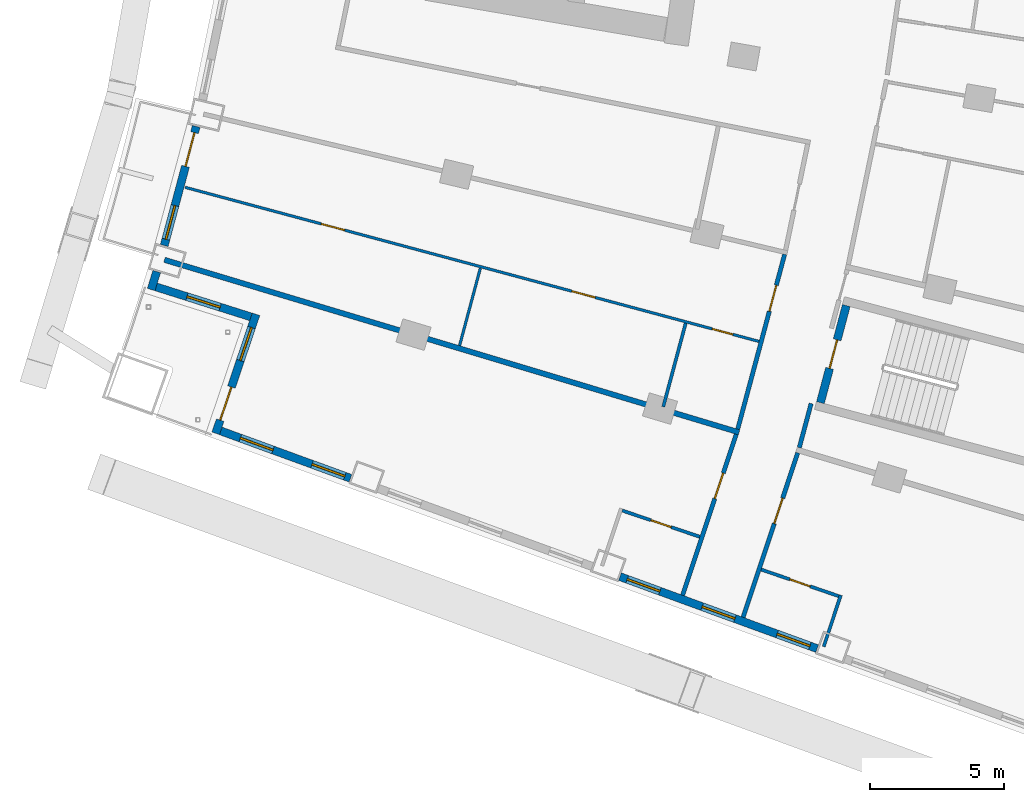
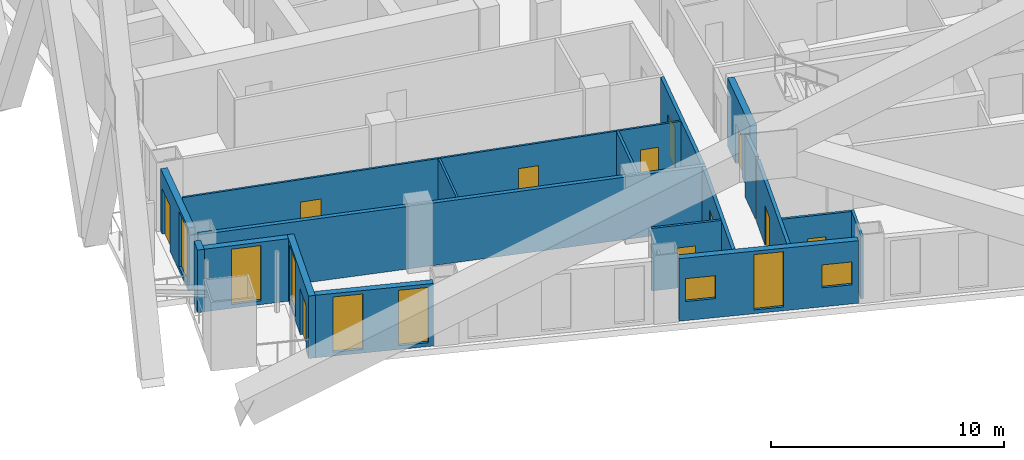
# One storey, part 11 of 23: 18 walls, 11 doors, 8 windows, 19 openings.
"""IFC4 building model written with IfcOpenShell, lengths in metres."""

from ifc_helpers import new_model, si_unit, direction, frame, frame_2d, origin, place, context, subcontext, project, spatial, rectangle, extrude, material, layer, layer_set, type_object, element, fill, save


model = new_model("IFC4")

# Units and contexts
model_context = context("Model", 3, precision=1e-05, world=origin(), true_north=direction((0.0, 1.0)))
body_context = subcontext(model_context, "Body", "Model", "MODEL_VIEW")
ifc_project = project(units=[si_unit("LENGTHUNIT", "METRE"), si_unit("AREAUNIT", "SQUARE_METRE"), si_unit("VOLUMEUNIT", "CUBIC_METRE"), si_unit("PLANEANGLEUNIT", "RADIAN"), si_unit("MASSUNIT", "GRAM", prefix="KILO")], contexts=[model_context])

# Site, building, storey
site_placement = place(None, origin())
site = spatial("IfcSite", under=ifc_project, at=site_placement, CompositionType="ELEMENT")
building_placement = place(site_placement, origin())
building = spatial("IfcBuilding", under=site, at=building_placement, Name="Alderwake Tower", CompositionType="ELEMENT")
storey_placement = place(building_placement, frame((0.0, 0.0, 53.60009765625)))
storey = spatial("IfcBuildingStorey", under=building, at=storey_placement, Name="L12", CompositionType="ELEMENT", Elevation=53.60009765625)

# Wall, opening, door
ifc_material_1 = material(Name="Concrete C70/85", Category="concrete")
ifc_layer_1 = layer(ifc_material_1, 0.300048828125)
ifc_layer_set_1 = layer_set([ifc_layer_1], Name="Core wall stair enclosure 300 C70-85")
wall_type_1 = type_object("IfcWallType", Name="Core wall stair enclosure 300 C70-85", PredefinedType="SHEAR", material=ifc_layer_set_1)
wall_1_placement = place(storey_placement, frame((36.89501953125, 27.923828125, 0.0), z_axis=(0.0, 0.0, 1.0), x_axis=(0.257350630826, 0.966318090907, 0.0)))
wall_1 = element("IfcWall", 1, at=wall_1_placement, inside=storey, type_object=wall_type_1, Name="Core wall CW.087", PredefinedType="SHEAR", context=body_context, shape_type="SweptSolid", body=[
    extrude(rectangle(XDim=3.75, YDim=0.300048828125, at=frame_2d((1.875, 0.0))), origin(), (0.0, 0.0, 1.0), 3.599853515625),
])
opening_1_placement = place(wall_1_placement, frame((1.324951171875, 0.0, 0.0)))
opening_1 = element("IfcOpeningElement", 2, at=opening_1_placement, cuts=wall_1, Name="Opening C065", PredefinedType="OPENING", context=body_context, shape_type="SweptSolid", body=[
    extrude(rectangle(XDim=1.10009765625, YDim=2.10009765625, at=frame_2d((0.550048828125, 1.050048828125))), frame((0.0, 0.159912109375, 0.0), z_axis=(0.0, -1.0, 0.0), x_axis=(1.0, 0.0, 0.0)), (0.0, 0.0, 1.0), 0.320068359375),
])
ifc_material_2 = material(Name="Steel-framed fire door leaf", Category="steel")
door_type_1 = type_object("IfcDoorType", Name="Core stair door 1100 fire-rated", OperationType="SINGLE_SWING_LEFT", PredefinedType="DOOR", material=ifc_material_2)
door_1_placement = place(opening_1_placement, origin())
door_1 = element("IfcDoor", 3, at=door_1_placement, inside=storey, type_object=door_type_1, Name="Stair door", OperationType="SINGLE_SWING_RIGHT", OverallHeight=2.10009765625, OverallWidth=1.10009765625, PredefinedType="DOOR", context=body_context, shape_type="SweptSolid", body=[
    extrude(rectangle(XDim=1.10009765625, YDim=2.10009765625, at=frame_2d((0.550048828125, 1.050048828125))), frame((0.0, 0.02490234375, 0.0), z_axis=(0.0, -1.0, 0.0), x_axis=(1.0, 0.0, 0.0)), (0.0, 0.0, 1.0), 0.050048828125),
])
fill(opening_1, door_1)

ifc_material_3 = material(Name="Gypsum board on metal studs, rated")
ifc_layer_2 = layer(ifc_material_3, 0.159912109375)
ifc_layer_set_2 = layer_set([ifc_layer_2], Name="Corridor wall 160")
wall_type_2 = type_object("IfcWallType", Name="Corridor wall 160", PredefinedType="PARTITIONING", material=ifc_layer_set_2)
wall_2_placement = place(storey_placement, frame((31.7548828125, 20.739013671875, 0.0), z_axis=(0.0, 0.0, 1.0), x_axis=(0.31554473692, 0.948910701279, 0.0)))
wall_2 = element("IfcWall", 4, at=wall_2_placement, inside=storey, type_object=wall_type_2, Name="WL/L12/W18", PredefinedType="PARTITIONING", context=body_context, shape_type="SweptSolid", body=[
    extrude(rectangle(XDim=6.327392578125, YDim=0.159912109375, at=frame_2d((3.16357421875, 0.0))), origin(), (0.0, 0.0, 1.0), 3.27978515625),
])
opening_2_placement = place(wall_2_placement, frame((3.799072265625, 0.0, 0.0)))
opening_2 = element("IfcOpeningElement", 5, at=opening_2_placement, cuts=wall_2, Name="Opening R03-U09.1", PredefinedType="OPENING", context=body_context, shape_type="SweptSolid", body=[
    extrude(rectangle(XDim=1.0, YDim=2.10009765625, at=frame_2d((0.5, 1.050048828125))), frame((0.0, 0.08984375, 0.0), z_axis=(0.0, -1.0, 0.0), x_axis=(1.0, 0.0, 0.0)), (0.0, 0.0, 1.0), 0.179931640625),
])
ifc_material_4 = material(Name="Solid timber leaf in steel frame", Category="steel")
door_type_2 = type_object("IfcDoorType", Name="Flat entrance door 1000 fire-rated", OperationType="SINGLE_SWING_LEFT", PredefinedType="DOOR", material=ifc_material_4)
door_2_placement = place(opening_2_placement, origin())
door_2 = element("IfcDoor", 6, at=door_2_placement, inside=storey, type_object=door_type_2, Name="DR/L12/U09.1", OperationType="SINGLE_SWING_LEFT", OverallHeight=2.10009765625, OverallWidth=1.0, PredefinedType="DOOR", context=body_context, shape_type="SweptSolid", body=[
    extrude(rectangle(XDim=1.0, YDim=2.10009765625, at=frame_2d((0.5, 1.050048828125))), frame((0.0, 0.02490234375, 0.0), z_axis=(0.0, -1.0, 0.0), x_axis=(1.0, 0.0, 0.0)), (0.0, 0.0, 1.0), 0.050048828125),
])
fill(opening_2, door_2)

wall_3_placement = place(storey_placement, frame((33.808837890625, 26.9345703125, 0.0), z_axis=(0.0, 0.0, 1.0), x_axis=(0.259298911818, 0.965797118618, 0.0)))
wall_3 = element("IfcWall", 7, at=wall_3_placement, inside=storey, type_object=wall_type_2, Name="WL/L12/W19", PredefinedType="PARTITIONING", context=body_context, shape_type="SweptSolid", body=[
    extrude(rectangle(XDim=6.75, YDim=0.159912109375, at=frame_2d((3.375, 0.0))), origin(), (0.0, 0.0, 1.0), 3.27978515625),
])
opening_3_placement = place(wall_3_placement, frame((4.5576171875, 0.0, 0.0)))
opening_3 = element("IfcOpeningElement", 8, at=opening_3_placement, cuts=wall_3, Name="Opening R03-U10.2", PredefinedType="OPENING", context=body_context, shape_type="SweptSolid", body=[
    extrude(rectangle(XDim=1.0, YDim=2.10009765625, at=frame_2d((0.5, 1.050048828125))), frame((0.0, 0.08984375, 0.0), z_axis=(0.0, -1.0, 0.0), x_axis=(1.0, 0.0, 0.0)), (0.0, 0.0, 1.0), 0.179931640625),
])
door_3_placement = place(opening_3_placement, origin())
door_3 = element("IfcDoor", 9, at=door_3_placement, inside=storey, type_object=door_type_2, Name="DR/L12/U10.2", OperationType="SINGLE_SWING_LEFT", OverallHeight=2.10009765625, OverallWidth=1.0, PredefinedType="DOOR", context=body_context, shape_type="SweptSolid", body=[
    extrude(rectangle(XDim=1.0, YDim=2.10009765625, at=frame_2d((0.5, 1.050048828125))), frame((0.0, 0.02490234375, 0.0), z_axis=(0.0, -1.0, 0.0), x_axis=(1.0, 0.0, 0.0)), (0.0, 0.0, 1.0), 0.050048828125),
])
fill(opening_3, door_3)

wall_4_placement = place(storey_placement, frame((36.049560546875, 26.052978515625, 0.0), z_axis=(0.0, 0.0, 1.0), x_axis=(-0.315151894598, -0.949041244273, 0.0)))
wall_4 = element("IfcWall", 10, at=wall_4_placement, inside=storey, type_object=wall_type_2, Name="WL/L12/W21", PredefinedType="PARTITIONING", context=body_context, shape_type="SweptSolid", body=[
    extrude(rectangle(XDim=6.468505859375, YDim=0.159912109375, at=frame_2d((3.234375, 0.0))), origin(), (0.0, 0.0, 1.0), 3.27978515625),
])
opening_4_placement = place(wall_4_placement, frame((1.7822265625, 0.0, 0.0)))
opening_4 = element("IfcOpeningElement", 11, at=opening_4_placement, cuts=wall_4, Name="Opening R03-U03.1", PredefinedType="OPENING", context=body_context, shape_type="SweptSolid", body=[
    extrude(rectangle(XDim=1.0, YDim=2.10009765625, at=frame_2d((0.5, 1.050048828125))), frame((0.0, 0.08984375, 0.0), z_axis=(0.0, -1.0, 0.0), x_axis=(1.0, 0.0, 0.0)), (0.0, 0.0, 1.0), 0.179931640625),
])
door_4_placement = place(opening_4_placement, origin())
door_4 = element("IfcDoor", 12, at=door_4_placement, inside=storey, type_object=door_type_2, Name="DR/L12/U03.1", OperationType="SINGLE_SWING_LEFT", OverallHeight=2.10009765625, OverallWidth=1.0, PredefinedType="DOOR", context=body_context, shape_type="SweptSolid", body=[
    extrude(rectangle(XDim=1.0, YDim=2.10009765625, at=frame_2d((0.5, 1.050048828125))), frame((0.0, 0.02490234375, 0.0), z_axis=(0.0, -1.0, 0.0), x_axis=(1.0, 0.0, 0.0)), (0.0, 0.0, 1.0), 0.050048828125),
])
fill(opening_4, door_4)

# Walls
wall_5_placement = place(storey_placement, frame((36.10693359375, 26.24462890625, 0.0), z_axis=(0.0, 0.0, 1.0), x_axis=(0.259346865847, 0.965784242559, 0.0)))
element("IfcWall", 13, at=wall_5_placement, inside=storey, type_object=wall_type_2, Name="WL/L12/W24", PredefinedType="PARTITIONING", context=body_context, shape_type="SweptSolid", body=[
    extrude(rectangle(XDim=1.704833984375, YDim=0.159912109375, at=frame_2d((0.8525390625, 0.0))), origin(), (0.0, 0.0, 1.0), 3.27978515625),
])
ifc_material_5 = material(Name="Precast concrete C50/60 spandrel panel", Category="concrete")
ifc_layer_3 = layer(ifc_material_5, 0.300048828125)
ifc_layer_set_3 = layer_set([ifc_layer_3], Name="External wall EW1 Precast concrete C50/60 spandrel")
wall_type_3 = type_object("IfcWallType", Name="External wall EW1 Precast concrete C50/60 spandrel", PredefinedType="SOLIDWALL", material=ifc_layer_set_3)
wall_6_placement = place(storey_placement, frame((12.1328125, 32.814453125, 0.0), z_axis=(0.0, 0.0, 1.0), x_axis=(-0.294671831364, -0.955598509731, 0.0)))
element("IfcWall", 14, at=wall_6_placement, inside=storey, type_object=wall_type_3, Name="External wall 1", PredefinedType="SOLIDWALL", context=body_context, shape_type="SweptSolid", body=[
    extrude(rectangle(XDim=0.70263671875, YDim=0.300048828125, at=frame_2d((0.351318359375, 0.0))), origin(), (0.0, 0.0, 1.0), 3.27978515625),
])

# Wall, openings, door, window
wall_7_placement = place(storey_placement, frame((13.606689453125, 38.229248046875, 0.0), z_axis=(0.0, 0.0, 1.0), x_axis=(-0.259495671332, -0.965744270788, 0.0)))
wall_7 = element("IfcWall", 15, at=wall_7_placement, inside=storey, type_object=wall_type_3, Name="External wall 36", PredefinedType="SOLIDWALL", context=body_context, shape_type="SweptSolid", body=[
    extrude(rectangle(XDim=4.599609375, YDim=0.300048828125, at=frame_2d((2.2998046875, 0.0))), origin(), (0.0, 0.0, 1.0), 3.27978515625),
])
opening_5_placement = place(wall_7_placement, frame((0.2412109375, 0.0, 0.0)))
opening_5 = element("IfcOpeningElement", 16, at=opening_5_placement, cuts=wall_7, Name="Opening D15", PredefinedType="OPENING", context=body_context, shape_type="SweptSolid", body=[
    extrude(rectangle(XDim=1.300048828125, YDim=2.39990234375, at=frame_2d((0.64990234375, 1.199951171875))), frame((0.0, 0.159912109375, 0.0), z_axis=(0.0, -1.0, 0.0), x_axis=(1.0, 0.0, 0.0)), (0.0, 0.0, 1.0), 0.320068359375),
])
opening_6_placement = place(wall_7_placement, frame((3.058349609375, 0.0, 0.199951171875)))
opening_6 = element("IfcOpeningElement", 17, at=opening_6_placement, cuts=wall_7, Name="Opening W1", PredefinedType="OPENING", context=body_context, shape_type="SweptSolid", body=[
    extrude(rectangle(XDim=1.300048828125, YDim=2.89990234375, at=frame_2d((0.64990234375, 1.449951171875))), frame((0.0, 0.159912109375, 0.0), z_axis=(0.0, -1.0, 0.0), x_axis=(1.0, 0.0, 0.0)), (0.0, 0.0, 1.0), 0.320068359375),
])
ifc_material_6 = material(Name="Bronze tinted glass in aluminium frame", Category="aluminium")
door_type_3 = type_object("IfcDoorType", Name="Balcony door BD sliding", OperationType="SLIDING_TO_LEFT", PredefinedType="DOOR", material=ifc_material_6)
door_5_placement = place(opening_5_placement, origin())
door_5 = element("IfcDoor", 18, at=door_5_placement, inside=storey, type_object=door_type_3, Name="Door D15", OperationType="SLIDING_TO_LEFT", OverallHeight=2.39990234375, OverallWidth=1.300048828125, PredefinedType="DOOR", context=body_context, shape_type="SweptSolid", body=[
    extrude(rectangle(XDim=1.300048828125, YDim=2.39990234375, at=frame_2d((0.64990234375, 1.199951171875))), frame((0.0, 0.02490234375, 0.0), z_axis=(0.0, -1.0, 0.0), x_axis=(1.0, 0.0, 0.0)), (0.0, 0.0, 1.0), 0.050048828125),
])
fill(opening_5, door_5)
ifc_material_7 = material(Name="Bronze tinted glass in aluminium frame", Category="aluminium")
window_type_1 = type_object("IfcWindowType", Name="Window W1 tall fixed and vent", PartitioningType="DOUBLE_PANEL_VERTICAL", PredefinedType="WINDOW", material=ifc_material_7)
window_1_placement = place(opening_6_placement, origin())
window_1 = element("IfcWindow", 19, at=window_1_placement, inside=storey, type_object=window_type_1, Name="Window W1 tall fixed and vent", OverallHeight=2.89990234375, OverallWidth=1.300048828125, PartitioningType="DOUBLE_PANEL_VERTICAL", PredefinedType="WINDOW", context=body_context, shape_type="SweptSolid", body=[
    extrude(rectangle(XDim=1.300048828125, YDim=2.89990234375, at=frame_2d((0.64990234375, 1.449951171875))), frame((0.0, 0.030029296875, 0.0), z_axis=(0.0, -1.0, 0.0), x_axis=(1.0, 0.0, 0.0)), (0.0, 0.0, 1.0), 0.06005859375),
])
fill(opening_6, window_1)

# Wall, opening, window
ifc_material_8 = material(Name="Bronze metal cladding on lightweight framing")
ifc_layer_4 = layer(ifc_material_8, 0.300048828125)
ifc_layer_set_4 = layer_set([ifc_layer_4], Name="External wall EW2 bronze metal cladding")
wall_type_4 = type_object("IfcWallType", Name="External wall EW2 bronze metal cladding", PredefinedType="SOLIDWALL", material=ifc_layer_set_4)
wall_8_placement = place(storey_placement, frame((12.113037109375, 32.2412109375, 0.0), z_axis=(0.0, 0.0, 1.0), x_axis=(0.953458128271, -0.301525451054, 0.0)))
wall_8 = element("IfcWall", 20, at=wall_8_placement, inside=storey, type_object=wall_type_4, Name="External wall 2", PredefinedType="SOLIDWALL", context=body_context, shape_type="SweptSolid", body=[
    extrude(rectangle(XDim=3.705810546875, YDim=0.300048828125, at=frame_2d((1.85302734375, 0.0))), origin(), (0.0, 0.0, 1.0), 3.27978515625),
])
opening_7_placement = place(wall_8_placement, frame((1.202880859375, 0.0, 0.199951171875)))
opening_7 = element("IfcOpeningElement", 21, at=opening_7_placement, cuts=wall_8, Name="Opening W1", PredefinedType="OPENING", context=body_context, shape_type="SweptSolid", body=[
    extrude(rectangle(XDim=1.300048828125, YDim=2.89990234375, at=frame_2d((0.64990234375, 1.449951171875))), frame((0.0, 0.159912109375, 0.0), z_axis=(0.0, -1.0, 0.0), x_axis=(1.0, 0.0, 0.0)), (0.0, 0.0, 1.0), 0.320068359375),
])
window_2_placement = place(opening_7_placement, origin())
window_2 = element("IfcWindow", 22, at=window_2_placement, inside=storey, type_object=window_type_1, Name="Window W1 tall fixed and vent", OverallHeight=2.89990234375, OverallWidth=1.300048828125, PartitioningType="DOUBLE_PANEL_VERTICAL", PredefinedType="WINDOW", context=body_context, shape_type="SweptSolid", body=[
    extrude(rectangle(XDim=1.300048828125, YDim=2.89990234375, at=frame_2d((0.64990234375, 1.449951171875))), frame((0.0, 0.030029296875, 0.0), z_axis=(0.0, -1.0, 0.0), x_axis=(1.0, 0.0, 0.0)), (0.0, 0.0, 1.0), 0.06005859375),
])
fill(opening_7, window_2)

# Wall, openings, door, window
wall_9_placement = place(storey_placement, frame((15.83740234375, 31.220703125, 0.0), z_axis=(0.0, 0.0, 1.0), x_axis=(-0.32041006121, -0.947278941324, 0.0)))
wall_9 = element("IfcWall", 23, at=wall_9_placement, inside=storey, type_object=wall_type_4, Name="External wall 3", PredefinedType="SOLIDWALL", context=body_context, shape_type="SweptSolid", body=[
    extrude(rectangle(XDim=4.68994140625, YDim=0.300048828125, at=frame_2d((2.344970703125, 0.0))), origin(), (0.0, 0.0, 1.0), 3.27978515625),
])
opening_8_placement = place(wall_9_placement, frame((0.5224609375, 0.0, 0.199951171875)))
opening_8 = element("IfcOpeningElement", 24, at=opening_8_placement, cuts=wall_9, Name="Opening W1", PredefinedType="OPENING", context=body_context, shape_type="SweptSolid", body=[
    extrude(rectangle(XDim=1.300048828125, YDim=2.89990234375, at=frame_2d((0.64990234375, 1.449951171875))), frame((0.0, 0.159912109375, 0.0), z_axis=(0.0, -1.0, 0.0), x_axis=(1.0, 0.0, 0.0)), (0.0, 0.0, 1.0), 0.320068359375),
])
opening_9_placement = place(wall_9_placement, frame((2.867431640625, 0.0, 0.0)))
opening_9 = element("IfcOpeningElement", 25, at=opening_9_placement, cuts=wall_9, Name="Opening D01", PredefinedType="OPENING", context=body_context, shape_type="SweptSolid", body=[
    extrude(rectangle(XDim=1.300048828125, YDim=2.39990234375, at=frame_2d((0.64990234375, 1.199951171875))), frame((0.0, 0.159912109375, 0.0), z_axis=(0.0, -1.0, 0.0), x_axis=(1.0, 0.0, 0.0)), (0.0, 0.0, 1.0), 0.320068359375),
])
door_6_placement = place(opening_9_placement, origin())
door_6 = element("IfcDoor", 26, at=door_6_placement, inside=storey, type_object=door_type_3, Name="Door D01", OperationType="SLIDING_TO_LEFT", OverallHeight=2.39990234375, OverallWidth=1.300048828125, PredefinedType="DOOR", context=body_context, shape_type="SweptSolid", body=[
    extrude(rectangle(XDim=1.300048828125, YDim=2.39990234375, at=frame_2d((0.64990234375, 1.199951171875))), frame((0.0, 0.02490234375, 0.0), z_axis=(0.0, -1.0, 0.0), x_axis=(1.0, 0.0, 0.0)), (0.0, 0.0, 1.0), 0.050048828125),
])
fill(opening_9, door_6)
window_3_placement = place(opening_8_placement, origin())
window_3 = element("IfcWindow", 27, at=window_3_placement, inside=storey, type_object=window_type_1, Name="Window W1 tall fixed and vent", OverallHeight=2.89990234375, OverallWidth=1.300048828125, PartitioningType="DOUBLE_PANEL_VERTICAL", PredefinedType="WINDOW", context=body_context, shape_type="SweptSolid", body=[
    extrude(rectangle(XDim=1.300048828125, YDim=2.89990234375, at=frame_2d((0.64990234375, 1.449951171875))), frame((0.0, 0.030029296875, 0.0), z_axis=(0.0, -1.0, 0.0), x_axis=(1.0, 0.0, 0.0)), (0.0, 0.0, 1.0), 0.06005859375),
])
fill(opening_8, window_3)

# Wall, openings, windows
wall_10_placement = place(storey_placement, frame((14.523681640625, 26.86865234375, 0.0), z_axis=(0.0, 0.0, 1.0), x_axis=(0.939371865822, -0.342900127883, 0.0)))
wall_10 = element("IfcWall", 28, at=wall_10_placement, inside=storey, type_object=wall_type_4, Name="External wall 4", PredefinedType="SOLIDWALL", context=body_context, shape_type="SweptSolid", body=[
    extrude(rectangle(XDim=5.149169921875, YDim=0.300048828125, at=frame_2d((2.57470703125, 0.0))), origin(), (0.0, 0.0, 1.0), 3.27978515625),
])
opening_10_placement = place(wall_10_placement, frame((0.775390625, 0.0, 0.199951171875)))
opening_10 = element("IfcOpeningElement", 29, at=opening_10_placement, cuts=wall_10, Name="Opening W1", PredefinedType="OPENING", context=body_context, shape_type="SweptSolid", body=[
    extrude(rectangle(XDim=1.300048828125, YDim=2.89990234375, at=frame_2d((0.64990234375, 1.449951171875))), frame((0.0, 0.159912109375, 0.0), z_axis=(0.0, -1.0, 0.0), x_axis=(1.0, 0.0, 0.0)), (0.0, 0.0, 1.0), 0.320068359375),
])
opening_11_placement = place(wall_10_placement, frame((3.626220703125, 0.0, 0.199951171875)))
opening_11 = element("IfcOpeningElement", 30, at=opening_11_placement, cuts=wall_10, Name="Opening W1", PredefinedType="OPENING", context=body_context, shape_type="SweptSolid", body=[
    extrude(rectangle(XDim=1.300048828125, YDim=2.89990234375, at=frame_2d((0.64990234375, 1.449951171875))), frame((0.0, 0.159912109375, 0.0), z_axis=(0.0, -1.0, 0.0), x_axis=(1.0, 0.0, 0.0)), (0.0, 0.0, 1.0), 0.320068359375),
])
window_4_placement = place(opening_10_placement, origin())
window_4 = element("IfcWindow", 31, at=window_4_placement, inside=storey, type_object=window_type_1, Name="Window W1 tall fixed and vent", OverallHeight=2.89990234375, OverallWidth=1.300048828125, PartitioningType="DOUBLE_PANEL_VERTICAL", PredefinedType="WINDOW", context=body_context, shape_type="SweptSolid", body=[
    extrude(rectangle(XDim=1.300048828125, YDim=2.89990234375, at=frame_2d((0.64990234375, 1.449951171875))), frame((0.0, 0.030029296875, 0.0), z_axis=(0.0, -1.0, 0.0), x_axis=(1.0, 0.0, 0.0)), (0.0, 0.0, 1.0), 0.06005859375),
])
fill(opening_10, window_4)
window_5_placement = place(opening_11_placement, origin())
window_5 = element("IfcWindow", 32, at=window_5_placement, inside=storey, type_object=window_type_1, Name="Window W1 tall fixed and vent", OverallHeight=2.89990234375, OverallWidth=1.300048828125, PartitioningType="DOUBLE_PANEL_VERTICAL", PredefinedType="WINDOW", context=body_context, shape_type="SweptSolid", body=[
    extrude(rectangle(XDim=1.300048828125, YDim=2.89990234375, at=frame_2d((0.64990234375, 1.449951171875))), frame((0.0, 0.030029296875, 0.0), z_axis=(0.0, -1.0, 0.0), x_axis=(1.0, 0.0, 0.0)), (0.0, 0.0, 1.0), 0.06005859375),
])
fill(opening_11, window_5)

wall_11_placement = place(storey_placement, frame((29.416748046875, 21.432373046875, 0.0), z_axis=(0.0, 0.0, 1.0), x_axis=(0.939370235271, -0.34290459473, 0.0)))
wall_11 = element("IfcWall", 33, at=wall_11_placement, inside=storey, type_object=wall_type_4, Name="External wall 6", PredefinedType="SOLIDWALL", context=body_context, shape_type="SweptSolid", body=[
    extrude(rectangle(XDim=7.828857421875, YDim=0.300048828125, at=frame_2d((3.91455078125, 0.0))), origin(), (0.0, 0.0, 1.0), 3.27978515625),
])
opening_12_placement = place(wall_11_placement, frame((0.28662109375, 0.0, 1.0)))
opening_12 = element("IfcOpeningElement", 34, at=opening_12_placement, cuts=wall_11, Name="Opening W2", PredefinedType="OPENING", context=body_context, shape_type="SweptSolid", body=[
    extrude(rectangle(XDim=1.300048828125, YDim=1.199951171875, at=frame_2d((0.64990234375, 0.60009765625))), frame((0.0, 0.159912109375, 0.0), z_axis=(0.0, -1.0, 0.0), x_axis=(1.0, 0.0, 0.0)), (0.0, 0.0, 1.0), 0.320068359375),
])
opening_13_placement = place(wall_11_placement, frame((3.264404296875, 0.0, 0.199951171875)))
opening_13 = element("IfcOpeningElement", 35, at=opening_13_placement, cuts=wall_11, Name="Opening W1", PredefinedType="OPENING", context=body_context, shape_type="SweptSolid", body=[
    extrude(rectangle(XDim=1.300048828125, YDim=2.89990234375, at=frame_2d((0.64990234375, 1.449951171875))), frame((0.0, 0.159912109375, 0.0), z_axis=(0.0, -1.0, 0.0), x_axis=(1.0, 0.0, 0.0)), (0.0, 0.0, 1.0), 0.320068359375),
])
opening_14_placement = place(wall_11_placement, frame((6.2421875, 0.0, 1.0)))
opening_14 = element("IfcOpeningElement", 36, at=opening_14_placement, cuts=wall_11, Name="Opening W2", PredefinedType="OPENING", context=body_context, shape_type="SweptSolid", body=[
    extrude(rectangle(XDim=1.300048828125, YDim=1.199951171875, at=frame_2d((0.64990234375, 0.60009765625))), frame((0.0, 0.159912109375, 0.0), z_axis=(0.0, -1.0, 0.0), x_axis=(1.0, 0.0, 0.0)), (0.0, 0.0, 1.0), 0.320068359375),
])
window_6_placement = place(opening_13_placement, origin())
window_6 = element("IfcWindow", 37, at=window_6_placement, inside=storey, type_object=window_type_1, Name="Window W1 tall fixed and vent", OverallHeight=2.89990234375, OverallWidth=1.300048828125, PartitioningType="DOUBLE_PANEL_VERTICAL", PredefinedType="WINDOW", context=body_context, shape_type="SweptSolid", body=[
    extrude(rectangle(XDim=1.300048828125, YDim=2.89990234375, at=frame_2d((0.64990234375, 1.449951171875))), frame((0.0, 0.030029296875, 0.0), z_axis=(0.0, -1.0, 0.0), x_axis=(1.0, 0.0, 0.0)), (0.0, 0.0, 1.0), 0.06005859375),
])
fill(opening_13, window_6)
ifc_material_9 = material(Name="Bronze tinted glass in aluminium frame", Category="aluminium")
window_type_2 = type_object("IfcWindowType", Name="Window W2 kitchen and bath", PartitioningType="SINGLE_PANEL", PredefinedType="WINDOW", material=ifc_material_9)
window_7_placement = place(opening_12_placement, origin())
window_7 = element("IfcWindow", 38, at=window_7_placement, inside=storey, type_object=window_type_2, Name="Window W2 kitchen and bath", OverallHeight=1.199951171875, OverallWidth=1.300048828125, PartitioningType="SINGLE_PANEL", PredefinedType="WINDOW", context=body_context, shape_type="SweptSolid", body=[
    extrude(rectangle(XDim=1.300048828125, YDim=1.199951171875, at=frame_2d((0.64990234375, 0.60009765625))), frame((0.0, 0.030029296875, 0.0), z_axis=(0.0, -1.0, 0.0), x_axis=(1.0, 0.0, 0.0)), (0.0, 0.0, 1.0), 0.06005859375),
])
fill(opening_12, window_7)
window_8_placement = place(opening_14_placement, origin())
window_8 = element("IfcWindow", 39, at=window_8_placement, inside=storey, type_object=window_type_2, Name="Window W2 kitchen and bath", OverallHeight=1.199951171875, OverallWidth=1.300048828125, PartitioningType="SINGLE_PANEL", PredefinedType="WINDOW", context=body_context, shape_type="SweptSolid", body=[
    extrude(rectangle(XDim=1.300048828125, YDim=1.199951171875, at=frame_2d((0.64990234375, 0.60009765625))), frame((0.0, 0.030029296875, 0.0), z_axis=(0.0, -1.0, 0.0), x_axis=(1.0, 0.0, 0.0)), (0.0, 0.0, 1.0), 0.06005859375),
])
fill(opening_14, window_8)

# Wall
ifc_material_10 = material(Name="Dense block masonry wall", Category="masonry")
ifc_layer_5 = layer(ifc_material_10, 0.199951171875)
ifc_layer_set_5 = layer_set([ifc_layer_5], Name="Party wall 200")
wall_type_5 = type_object("IfcWallType", Name="Party wall 200", PredefinedType="SOLIDWALL", material=ifc_layer_set_5)
wall_12_placement = place(storey_placement, frame((33.859619140625, 26.81494140625, 0.0), z_axis=(0.0, 0.0, 1.0), x_axis=(-0.95775179957, 0.287596054251, 0.0)))
element("IfcWall", 40, at=wall_12_placement, inside=storey, type_object=wall_type_5, Name="WL/L12/W01", PredefinedType="SOLIDWALL", context=body_context, shape_type="SweptSolid", body=[
    extrude(rectangle(XDim=22.382080078125, YDim=0.199951171875, at=frame_2d((11.19091796875, 0.0))), origin(), (0.0, 0.0, 1.0), 3.27978515625),
])

# Wall, openings, doors
ifc_material_11 = material(Name="Gypsum board on metal studs")
ifc_layer_6 = layer(ifc_material_11, 0.10009765625)
ifc_layer_set_6 = layer_set([ifc_layer_6], Name="Unit partition 100")
wall_type_6 = type_object("IfcWallType", Name="Unit partition 100", PredefinedType="PARTITIONING", material=ifc_layer_set_6)
wall_13_placement = place(storey_placement, frame((34.605712890625, 30.206787109375, 0.0), z_axis=(0.0, 0.0, 1.0), x_axis=(-0.965767846078, 0.259407917152, 0.0)))
wall_13 = element("IfcWall", 41, at=wall_13_placement, inside=storey, type_object=wall_type_6, Name="WL/L12/W64", PredefinedType="PARTITIONING", context=body_context, shape_type="SweptSolid", body=[
    extrude(rectangle(XDim=22.170654296875, YDim=0.10009765625, at=frame_2d((11.08544921875, 0.0))), origin(), (0.0, 0.0, 1.0), 3.27978515625),
])
opening_15_placement = place(wall_13_placement, frame((6.335205078125, 0.0, 0.0)))
opening_15 = element("IfcOpeningElement", 42, at=opening_15_placement, cuts=wall_13, Name="Opening R03-U10.1", PredefinedType="OPENING", context=body_context, shape_type="SweptSolid", body=[
    extrude(rectangle(XDim=0.89990234375, YDim=2.10009765625, at=frame_2d((0.449951171875, 1.050048828125))), frame((0.0, 0.06005859375, 0.0), z_axis=(0.0, -1.0, 0.0), x_axis=(1.0, 0.0, 0.0)), (0.0, 0.0, 1.0), 0.1201171875),
])
opening_16_placement = place(wall_13_placement, frame((1.010009765625, 0.0, 0.0)))
opening_16 = element("IfcOpeningElement", 43, at=opening_16_placement, cuts=wall_13, Name="Opening R03-U10.3", PredefinedType="OPENING", context=body_context, shape_type="SweptSolid", body=[
    extrude(rectangle(XDim=0.800048828125, YDim=2.10009765625, at=frame_2d((0.39990234375, 1.050048828125))), frame((0.0, 0.06005859375, 0.0), z_axis=(0.0, -1.0, 0.0), x_axis=(1.0, 0.0, 0.0)), (0.0, 0.0, 1.0), 0.1201171875),
])
opening_17_placement = place(wall_13_placement, frame((16.010498046875, 0.0, 0.0)))
opening_17 = element("IfcOpeningElement", 44, at=opening_17_placement, cuts=wall_13, Name="Opening R03-U10.4", PredefinedType="OPENING", context=body_context, shape_type="SweptSolid", body=[
    extrude(rectangle(XDim=0.89990234375, YDim=2.10009765625, at=frame_2d((0.449951171875, 1.050048828125))), frame((0.0, 0.06005859375, 0.0), z_axis=(0.0, -1.0, 0.0), x_axis=(1.0, 0.0, 0.0)), (0.0, 0.0, 1.0), 0.1201171875),
])
ifc_material_12 = material(Name="Painted timber leaf", Category="wood")
door_type_4 = type_object("IfcDoorType", Name="Bathroom door 800", OperationType="SINGLE_SWING_LEFT", PredefinedType="DOOR", material=ifc_material_12)
door_7_placement = place(opening_16_placement, origin())
door_7 = element("IfcDoor", 45, at=door_7_placement, inside=storey, type_object=door_type_4, Name="DR/L12/U10.3", OperationType="SINGLE_SWING_LEFT", OverallHeight=2.10009765625, OverallWidth=0.800048828125, PredefinedType="DOOR", context=body_context, shape_type="SweptSolid", body=[
    extrude(rectangle(XDim=0.800048828125, YDim=2.10009765625, at=frame_2d((0.39990234375, 1.050048828125))), frame((0.0, 0.02490234375, 0.0), z_axis=(0.0, -1.0, 0.0), x_axis=(1.0, 0.0, 0.0)), (0.0, 0.0, 1.0), 0.050048828125),
])
fill(opening_16, door_7)
ifc_material_13 = material(Name="Painted timber leaf", Category="wood")
door_type_5 = type_object("IfcDoorType", Name="Room door 900", OperationType="SINGLE_SWING_LEFT", PredefinedType="DOOR", material=ifc_material_13)
door_8_placement = place(opening_15_placement, origin())
door_8 = element("IfcDoor", 46, at=door_8_placement, inside=storey, type_object=door_type_5, Name="DR/L12/U10.1", OperationType="SINGLE_SWING_LEFT", OverallHeight=2.10009765625, OverallWidth=0.89990234375, PredefinedType="DOOR", context=body_context, shape_type="SweptSolid", body=[
    extrude(rectangle(XDim=0.89990234375, YDim=2.10009765625, at=frame_2d((0.449951171875, 1.050048828125))), frame((0.0, 0.02490234375, 0.0), z_axis=(0.0, -1.0, 0.0), x_axis=(1.0, 0.0, 0.0)), (0.0, 0.0, 1.0), 0.050048828125),
])
fill(opening_15, door_8)
door_9_placement = place(opening_17_placement, origin())
door_9 = element("IfcDoor", 47, at=door_9_placement, inside=storey, type_object=door_type_5, Name="DR/L12/U10.4", OperationType="SINGLE_SWING_LEFT", OverallHeight=2.10009765625, OverallWidth=0.89990234375, PredefinedType="DOOR", context=body_context, shape_type="SweptSolid", body=[
    extrude(rectangle(XDim=0.89990234375, YDim=2.10009765625, at=frame_2d((0.449951171875, 1.050048828125))), frame((0.0, 0.02490234375, 0.0), z_axis=(0.0, -1.0, 0.0), x_axis=(1.0, 0.0, 0.0)), (0.0, 0.0, 1.0), 0.050048828125),
])
fill(opening_17, door_9)

# Walls
wall_14_placement = place(storey_placement, frame((24.208984375, 32.94580078125, 0.0), z_axis=(0.0, 0.0, 1.0), x_axis=(-0.259310212645, -0.965794084481, 0.0)))
element("IfcWall", 48, at=wall_14_placement, inside=storey, type_object=wall_type_6, Name="WL/L12/W65", PredefinedType="PARTITIONING", context=body_context, shape_type="SweptSolid", body=[
    extrude(rectangle(XDim=2.996826171875, YDim=0.10009765625, at=frame_2d((1.49853515625, 0.0))), origin(), (0.0, 0.0, 1.0), 3.27978515625),
])
ifc_material_14 = material(Name="Moisture resistant gypsum board on metal studs")
ifc_layer_7 = layer(ifc_material_14, 0.1201171875)
ifc_layer_set_7 = layer_set([ifc_layer_7], Name="Wet room partition 120")
wall_type_7 = type_object("IfcWallType", Name="Wet room partition 120", PredefinedType="PARTITIONING", material=ifc_layer_set_7)
wall_15_placement = place(storey_placement, frame((31.867919921875, 30.8876953125, 0.0), z_axis=(0.0, 0.0, 1.0), x_axis=(-0.259149206489, -0.96583729933, 0.0)))
element("IfcWall", 49, at=wall_15_placement, inside=storey, type_object=wall_type_7, Name="WL/L12/W46", PredefinedType="PARTITIONING", context=body_context, shape_type="SweptSolid", body=[
    extrude(rectangle(XDim=3.2294921875, YDim=0.1201171875, at=frame_2d((1.61474609375, 0.0))), origin(), (0.0, 0.0, 1.0), 3.27978515625),
])

# Wall, opening, door
wall_16_placement = place(storey_placement, frame((32.396240234375, 22.918701171875, 0.0), z_axis=(0.0, 0.0, 1.0), x_axis=(-0.947164130145, 0.320749295505, 0.0)))
wall_16 = element("IfcWall", 50, at=wall_16_placement, inside=storey, type_object=wall_type_7, Name="WL/L12/W47", PredefinedType="PARTITIONING", context=body_context, shape_type="SweptSolid", body=[
    extrude(rectangle(XDim=3.05908203125, YDim=0.1201171875, at=frame_2d((1.529541015625, 0.0))), origin(), (0.0, 0.0, 1.0), 3.27978515625),
])
opening_18_placement = place(wall_16_placement, frame((1.12939453125, 0.0, 0.0)))
opening_18 = element("IfcOpeningElement", 51, at=opening_18_placement, cuts=wall_16, Name="Opening R03-U09.2", PredefinedType="OPENING", context=body_context, shape_type="SweptSolid", body=[
    extrude(rectangle(XDim=0.800048828125, YDim=2.10009765625, at=frame_2d((0.39990234375, 1.050048828125))), frame((0.0, 0.070068359375, 0.0), z_axis=(0.0, -1.0, 0.0), x_axis=(1.0, 0.0, 0.0)), (0.0, 0.0, 1.0), 0.14013671875),
])
door_10_placement = place(opening_18_placement, origin())
door_10 = element("IfcDoor", 52, at=door_10_placement, inside=storey, type_object=door_type_4, Name="DR/L12/U09.2", OperationType="SINGLE_SWING_LEFT", OverallHeight=2.10009765625, OverallWidth=0.800048828125, PredefinedType="DOOR", context=body_context, shape_type="SweptSolid", body=[
    extrude(rectangle(XDim=0.800048828125, YDim=2.10009765625, at=frame_2d((0.39990234375, 1.050048828125))), frame((0.0, 0.02490234375, 0.0), z_axis=(0.0, -1.0, 0.0), x_axis=(1.0, 0.0, 0.0)), (0.0, 0.0, 1.0), 0.050048828125),
])
fill(opening_18, door_10)

# Wall
wall_17_placement = place(storey_placement, frame((37.01708984375, 18.819091796875, 0.0), z_axis=(0.0, 0.0, 1.0), x_axis=(0.314346849319, 0.949308199861, 0.0)))
element("IfcWall", 53, at=wall_17_placement, inside=storey, type_object=wall_type_7, Name="WL/L12/W49", PredefinedType="PARTITIONING", context=body_context, shape_type="SweptSolid", body=[
    extrude(rectangle(XDim=2.025634765625, YDim=0.1201171875, at=frame_2d((1.0126953125, 0.0))), origin(), (0.0, 0.0, 1.0), 3.27978515625),
])

# Wall, opening, door
wall_18_placement = place(storey_placement, frame((37.578125, 20.70458984375, 0.0), z_axis=(0.0, 0.0, 1.0), x_axis=(-0.945834581723, 0.324648955054, 0.0)))
wall_18 = element("IfcWall", 54, at=wall_18_placement, inside=storey, type_object=wall_type_7, Name="WL/L12/W50", PredefinedType="PARTITIONING", context=body_context, shape_type="SweptSolid", body=[
    extrude(rectangle(XDim=3.056884765625, YDim=0.1201171875, at=frame_2d((1.5283203125, 0.0))), origin(), (0.0, 0.0, 1.0), 3.27978515625),
])
opening_19_placement = place(wall_18_placement, frame((1.128662109375, 0.0, 0.0)))
opening_19 = element("IfcOpeningElement", 55, at=opening_19_placement, cuts=wall_18, Name="Opening R03-U03.2", PredefinedType="OPENING", context=body_context, shape_type="SweptSolid", body=[
    extrude(rectangle(XDim=0.800048828125, YDim=2.10009765625, at=frame_2d((0.39990234375, 1.050048828125))), frame((0.0, 0.070068359375, 0.0), z_axis=(0.0, -1.0, 0.0), x_axis=(1.0, 0.0, 0.0)), (0.0, 0.0, 1.0), 0.14013671875),
])
door_11_placement = place(opening_19_placement, origin())
door_11 = element("IfcDoor", 56, at=door_11_placement, inside=storey, type_object=door_type_4, Name="DR/L12/U03.2", OperationType="SINGLE_SWING_LEFT", OverallHeight=2.10009765625, OverallWidth=0.800048828125, PredefinedType="DOOR", context=body_context, shape_type="SweptSolid", body=[
    extrude(rectangle(XDim=0.800048828125, YDim=2.10009765625, at=frame_2d((0.39990234375, 1.050048828125))), frame((0.0, 0.02490234375, 0.0), z_axis=(0.0, -1.0, 0.0), x_axis=(1.0, 0.0, 0.0)), (0.0, 0.0, 1.0), 0.050048828125),
])
fill(opening_19, door_11)

save(model, "model.ifc")
